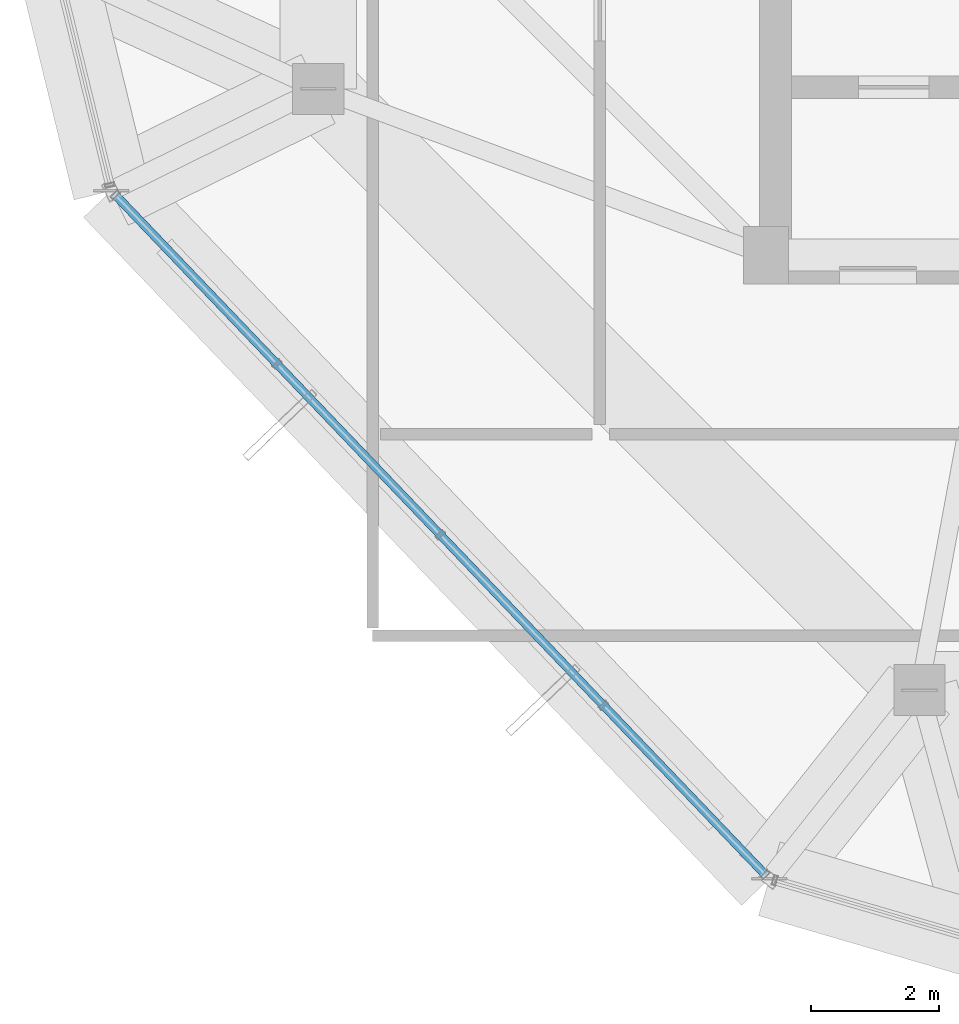
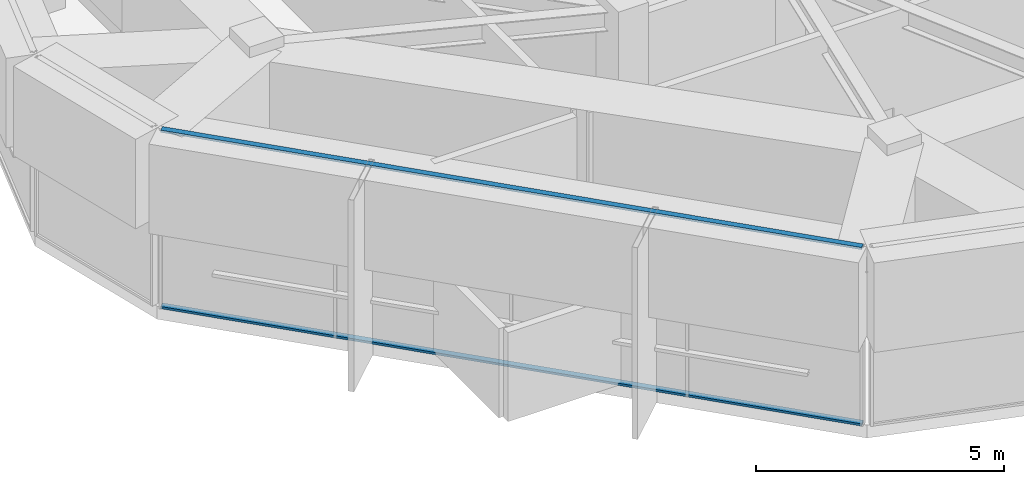
# One storey, part 3 of 39: 2 members, 1 element without a shape of its own.
"""IFC4 building model written with IfcOpenShell, lengths in metres."""

from ifc_helpers import new_model, si_unit, direction, frame, origin, origin_2d, place, context, subcontext, project, spatial, hollow_rectangle, extrude, source, transform, mapped, material, layer, layer_set, material_profile, profile_set, type_object, element, aggregate, save


model = new_model("IFC4")

# Units and contexts
model_context = context("Model", 3, precision=1e-05, world=origin(), true_north=direction((0.0, 1.0)))
body_context = subcontext(model_context, "Body", "Model", "MODEL_VIEW")
ifc_project = project(units=[si_unit("LENGTHUNIT", "METRE"), si_unit("AREAUNIT", "SQUARE_METRE"), si_unit("VOLUMEUNIT", "CUBIC_METRE"), si_unit("PLANEANGLEUNIT", "RADIAN"), si_unit("MASSUNIT", "GRAM", prefix="KILO")], contexts=[model_context])

# Site, building, storey
site_placement = place(None, origin())
site = spatial("IfcSite", under=ifc_project, at=site_placement, CompositionType="ELEMENT")
building_placement = place(site_placement, origin())
building = spatial("IfcBuilding", under=site, at=building_placement, Name="Veraguas Prism Commons", CompositionType="ELEMENT")
storey_placement = place(building_placement, frame((0.0, 0.0, 264.25)))
storey = spatial("IfcBuildingStorey", under=building, at=storey_placement, Name="L75", CompositionType="ELEMENT", Elevation=264.25)

# Curtain wall, members
ifc_material = material(Name="Anodised aluminium EN AW-6063 T6", Category="aluminium")
ifc_layer = layer(ifc_material, 0.14990234375, Name="Unitised Flush Curtain Wall Zone 4", Category="aluminium")
ifc_layer_set = layer_set([ifc_layer], Name="Anodised aluminium EN AW-6063 T6")
curtain_wall_type = type_object("IfcCurtainWallType", Name="Unitised Flush Curtain Wall Zone 4", PredefinedType="NOTDEFINED", material=ifc_layer_set)
curtain_wall_placement = place(storey_placement, origin())
curtain_wall = element("IfcCurtainWall", 1, at=curtain_wall_placement, inside=storey, type_object=curtain_wall_type, Name="Tower Facade Curtain Wall L75-F4", PredefinedType="NOTDEFINED")
ifc_material_profile = material_profile(ifc_material, hollow_rectangle(XDim=0.054931640625, YDim=0.135009765625, WallThickness=0.0029296875, at=origin_2d()), Name="AL55X135X3")
ifc_profile_set = profile_set([ifc_material_profile], Name="Anodised aluminium EN AW-6063 T6")
member_type = type_object("IfcMemberType", Name="Curtain Wall Transom Standard AL 55x135x3", PredefinedType="USERDEFINED", material=ifc_profile_set)
shared_shape = source(origin(), body_context, "Body", "SweptSolid", [
    extrude(hollow_rectangle(XDim=0.054931640625, YDim=0.135009765625, WallThickness=0.0029296875, at=origin_2d()), origin(), (0.0, 0.0, 1.0), 14.706298828125),
])
member_1_placement = place(storey_placement, frame((7.02587890625, 17.942138671875, 0.027587890625), z_axis=(0.691134440631, -0.722726217162, 0.0), x_axis=(0.0, 0.0, 1.0)))
member_1 = element("IfcMember", 2, at=member_1_placement, type_object=member_type, Name="CW-Z4 Transom 1", ObjectType="TRANSOM", PredefinedType="USERDEFINED", context=body_context, shape_type="MappedRepresentation", body=[
    mapped(shared_shape, transform((0.0, 0.0, 0.0), scale=1.0)),
])
member_2_placement = place(storey_placement, frame((7.02587890625, 17.942138671875, 4.362548828125), z_axis=(0.691134440631, -0.722726217162, 0.0), x_axis=(0.0, 0.0, 1.0)))
member_2 = element("IfcMember", 3, at=member_2_placement, type_object=member_type, Name="CW-Z4 Transom 2", ObjectType="TRANSOM", PredefinedType="USERDEFINED", context=body_context, shape_type="MappedRepresentation", body=[
    mapped(shared_shape, transform((0.0, 0.0, 0.0), scale=1.0)),
])
aggregate(curtain_wall, [member_1, member_2])

save(model, "model.ifc")
